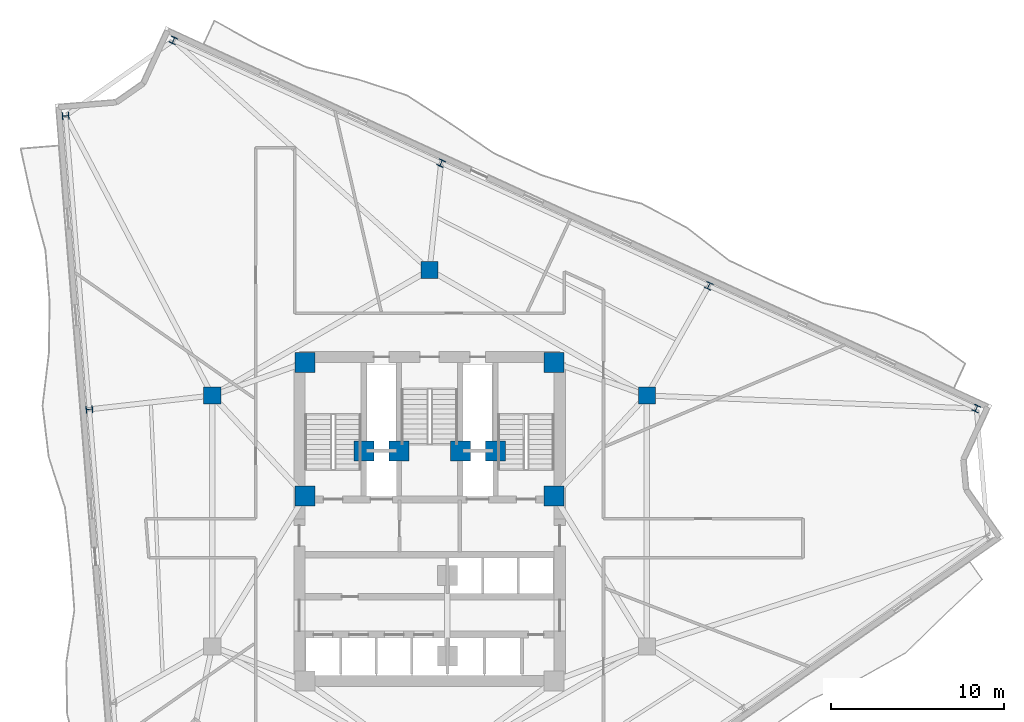
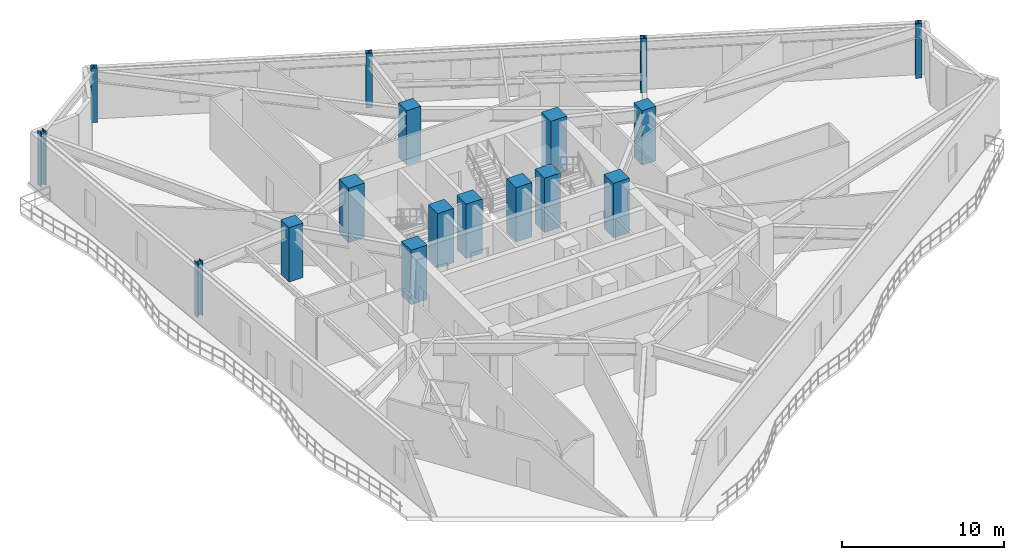
# One storey, part 2 of 11: 17 columns.
"""IFC4 building model written with IfcOpenShell, lengths in metres."""

import ifcopenshell
import ifcopenshell.guid

model = None  # the IFC model being written
_history = None  # IfcOwnerHistory: only IFC2X3 demands one
_inside = {}  # id of a spatial element -> (the spatial element, [elements in it])
_under = {}  # id of a project, library or spatial element -> (it, [spatial elements below it])
_declared = {}  # id of a project -> (the project, [libraries it declares])
_typed = {}  # id of a type object -> (the type object, [elements of that type])
_made_of = {}  # id of a material, layer set ... -> (it, [elements and type objects made of it])


def new_model(schema):
    """Start an empty IFC model of exactly this schema.

    Asked for "IFC4X3", IfcOpenShell would pick the latest addendum, in which some entities
    have other attributes; the version numbers below select the first issue.
    IFC2X3 requires an IfcOwnerHistory on every rooted entity: one is made here for all.
    """
    global model, _history
    if schema == "IFC4X3":
        model = ifcopenshell.file(schema_version=(4, 3, 0, 0))
    else:
        model = ifcopenshell.file(schema=schema)
    _inside.clear()
    _under.clear()
    _declared.clear()
    _typed.clear()
    _made_of.clear()
    _history = None
    if model.schema == "IFC2X3":
        org = make("IfcOrganization", Name="unknown")
        user = make(
            "IfcPersonAndOrganization",
            ThePerson=make("IfcPerson", FamilyName="unknown"),
            TheOrganization=org,
        )
        app = make(
            "IfcApplication",
            ApplicationDeveloper=org,
            Version="unknown",
            ApplicationFullName="unknown",
            ApplicationIdentifier="unknown",
        )
        _history = make(
            "IfcOwnerHistory",
            OwningUser=user,
            OwningApplication=app,
            ChangeAction="ADDED",
            CreationDate=0,
        )
    return model


def make(cls, **values):
    """One entity of the class cls with the attributes given. An attribute that is None is left unset."""
    return model.create_entity(
        cls, **{name: value for name, value in values.items() if value is not None}
    )


def rooted(cls, **values):
    """An entity with a GlobalId (a new one), such as an element, a storey or a relation."""
    return make(cls, GlobalId=ifcopenshell.guid.new(), OwnerHistory=_history, **values)


def si_unit(unit_type, name, prefix=None):
    """IfcSIUnit, for example si_unit("LENGTHUNIT", "METRE", prefix="MILLI")."""
    return make("IfcSIUnit", UnitType=unit_type, Prefix=prefix, Name=name)


def assignment(units):
    """IfcUnitAssignment: the units of a project."""
    return None if units is None else make("IfcUnitAssignment", Units=units)


def point(xyz):
    """IfcCartesianPoint."""
    return None if xyz is None else make("IfcCartesianPoint", Coordinates=xyz)


def direction(xyz):
    """IfcDirection."""
    return None if xyz is None else make("IfcDirection", DirectionRatios=xyz)


def frame(location, z_axis=None, x_axis=None):
    """IfcAxis2Placement3D, a coordinate frame: its origin and axes. An axis left out is left unset."""
    return make(
        "IfcAxis2Placement3D",
        Location=point(location),
        Axis=direction(z_axis),
        RefDirection=direction(x_axis),
    )


def frame_2d(location, x_axis=None):
    """IfcAxis2Placement2D, a coordinate frame in the plane: its origin and x axis."""
    return make(
        "IfcAxis2Placement2D", Location=point(location), RefDirection=direction(x_axis)
    )


def origin():
    """The frame at (0, 0, 0) with its axes left unset."""
    return frame((0.0, 0.0, 0.0))


def origin_2d():
    """The frame at (0, 0) in the plane with its x axis left unset."""
    return frame_2d((0.0, 0.0))


def place(relative_to, where):
    """IfcLocalPlacement: puts the frame where relative to a parent placement (None: the world)."""
    return make(
        "IfcLocalPlacement", PlacementRelTo=relative_to, RelativePlacement=where
    )


def context(
    kind, dimensions, precision=None, world=None, true_north=None, identifier=None
):
    """IfcGeometricRepresentationContext, for example the 3D "Model" context."""
    return make(
        "IfcGeometricRepresentationContext",
        ContextIdentifier=identifier,
        ContextType=kind,
        CoordinateSpaceDimension=dimensions,
        Precision=precision,
        WorldCoordinateSystem=world,
        TrueNorth=true_north,
    )


def subcontext(parent, identifier, kind, view, scale=None):
    """IfcGeometricRepresentationSubContext, for example "Body" below "Model"."""
    return make(
        "IfcGeometricRepresentationSubContext",
        ContextIdentifier=identifier,
        ContextType=kind,
        ParentContext=parent,
        TargetScale=scale,
        TargetView=view,
    )


def project(units=None, contexts=None):
    """IfcProject with its units and contexts."""
    return rooted(
        "IfcProject",
        Name="project",
        RepresentationContexts=contexts,
        UnitsInContext=assignment(units),
    )


def spatial(cls, under=None, at=None, **own):
    """A site, building, storey or space (cls), placed at a placement, below another one or the project."""
    s = rooted(cls, ObjectPlacement=at, **own)
    if under is not None:
        _under.setdefault(under.id(), (under, []))[1].append(s)
    return s


def profile(cls, at=None, kind="AREA", **sizes):
    """A parametric profile (cls). Its sizes go by their IFC names, for example OverallWidth=200.0."""
    return make(cls, ProfileType=kind, Position=at, **sizes)


def rectangle(**sizes):
    """IfcRectangleProfileDef."""
    return profile("IfcRectangleProfileDef", **sizes)


def i_section(**sizes):
    """IfcIShapeProfileDef."""
    return profile("IfcIShapeProfileDef", **sizes)


def extrude(swept, where, along, depth):
    """IfcExtrudedAreaSolid: the profile swept, set in the frame where, extruded along a direction by depth."""
    return make(
        "IfcExtrudedAreaSolid",
        SweptArea=swept,
        Position=where,
        ExtrudedDirection=direction(along),
        Depth=depth,
    )


def shape(context_of_items, identifier, shape_type, items):
    """IfcShapeRepresentation: the items that make up one representation, for example the "Body"."""
    return make(
        "IfcShapeRepresentation",
        ContextOfItems=context_of_items,
        RepresentationIdentifier=identifier,
        RepresentationType=shape_type,
        Items=items,
    )


def material(Name=None, Category=None):
    """IfcMaterial."""
    return make("IfcMaterial", Name=Name, Category=Category)


def material_profile(
    of_material, cross_section, Name=None, Category=None, Priority=None
):
    """IfcMaterialProfile: a cross section and its material."""
    return make(
        "IfcMaterialProfile",
        Name=Name,
        Material=of_material,
        Profile=cross_section,
        Priority=Priority,
        Category=Category,
    )


def profile_set(profiles, Name=None, composite=None):
    """IfcMaterialProfileSet."""
    return make(
        "IfcMaterialProfileSet",
        Name=Name,
        MaterialProfiles=profiles,
        CompositeProfile=composite,
    )


def made_of(thing, what):
    """Note that an element or type object is made of a material, layer set ...; save() writes the relation."""
    if what is not None:
        _made_of.setdefault(what.id(), (what, []))[1].append(thing)
    return thing


def type_object(cls, material=None, **own):
    """A type object (cls), such as IfcWallType, which elements share."""
    return made_of(rooted(cls, **own), material)


def element(
    cls,
    number,
    at=None,
    inside=None,
    cuts=None,
    type_object=None,
    material=None,
    context=None,
    identifier="Body",
    shape_type=None,
    held_by="IfcProductDefinitionShape",
    body=None,
    shapes=None,
    **own,
):
    """One element of the class cls, such as IfcWall. Its Tag is "e" and its number.

    at: its placement. inside: the storey or other place that contains it. cuts: it is an
    opening in that element (IfcRelVoidsElement). A single representation is given by context,
    identifier, shape_type and body (its items); several are given by shapes. held_by: the class
    of the entity that holds the representations. save() writes the other relations.
    """
    e = rooted(cls, Tag="e%d" % number, ObjectPlacement=at, **own)
    if body is not None:
        shapes = [shape(context, identifier, shape_type, body)]
    if shapes is not None:
        e.Representation = make(held_by, Representations=shapes)
    if inside is not None:
        _inside.setdefault(inside.id(), (inside, []))[1].append(e)
    if cuts is not None:
        rooted(
            "IfcRelVoidsElement", RelatingBuildingElement=cuts, RelatedOpeningElement=e
        )
    if type_object is not None:
        _typed.setdefault(type_object.id(), (type_object, []))[1].append(e)
    return made_of(e, material)


def aggregate(whole, parts):
    """IfcRelAggregates: a whole, such as a stair, and the parts it consists of."""
    return rooted("IfcRelAggregates", RelatingObject=whole, RelatedObjects=parts)


def save(model, path):
    """Write the relations noted so far, then the file.

    IfcRelAggregates (storeys below a building ...), IfcRelContainedInSpatialStructure (elements
    in a storey), IfcRelDefinesByType, IfcRelAssociatesMaterial and IfcRelDeclares: one each for
    every whole, place, type object, material and project.
    """
    for whole, parts in _under.values():
        aggregate(whole, parts)
    for where, things in _inside.values():
        rooted(
            "IfcRelContainedInSpatialStructure",
            RelatedElements=things,
            RelatingStructure=where,
        )
    for kind, things in _typed.values():
        rooted("IfcRelDefinesByType", RelatedObjects=things, RelatingType=kind)
    for what, things in _made_of.values():
        rooted("IfcRelAssociatesMaterial", RelatedObjects=things, RelatingMaterial=what)
    for by, libraries in _declared.values():
        rooted("IfcRelDeclares", RelatingContext=by, RelatedDefinitions=libraries)
    model.write(path)


model = new_model("IFC4")

# Units and contexts
model_context = context("Model", 3, precision=1e-05, world=origin(), true_north=direction((0.0, 1.0)))
body_context = subcontext(model_context, "Body", "Model", "MODEL_VIEW")
ifc_project = project(units=[si_unit("LENGTHUNIT", "METRE"), si_unit("AREAUNIT", "SQUARE_METRE"), si_unit("VOLUMEUNIT", "CUBIC_METRE"), si_unit("PLANEANGLEUNIT", "RADIAN"), si_unit("MASSUNIT", "GRAM", prefix="KILO")], contexts=[model_context])

# Site, building, storey
site_placement = place(None, origin())
site = spatial("IfcSite", under=ifc_project, at=site_placement, CompositionType="ELEMENT")
building_placement = place(site_placement, origin())
building = spatial("IfcBuilding", under=site, at=building_placement, Name="Apsidion Concourse Tower", CompositionType="ELEMENT")
storey_placement = place(building_placement, frame((0.0, 0.0, 214.699951171875)))
storey = spatial("IfcBuildingStorey", under=building, at=storey_placement, Name="L50", CompositionType="ELEMENT", Elevation=214.699951171875)

# Columns
ifc_material_1 = material(Name="Concrete C50/60", Category="concrete")
ifc_material_profile_1 = material_profile(ifc_material_1, rectangle(XDim=1.0, YDim=1.0, at=origin_2d()), Name="RC 1000x1000")
ifc_profile_set_1 = profile_set([ifc_material_profile_1], Name="Concrete C50/60")
column_type_1 = type_object("IfcColumnType", Name="COL-RC-1000", PredefinedType="COLUMN", material=ifc_profile_set_1)
for number, where, z_axis, x_axis, name in (
    (1, (12.56005859375, 7.25, 0.0), (0.0, 0.0, 1.0), (1.0, 0.0, 0.0), "L50 Interior Spine Column IC3"),
    (2, (0.0, 14.5, 0.0), (0.0, 0.0, 1.0), (1.0, 0.0, 0.0), "L50 Interior Spine Column IC4"),
    (3, (-12.56005859375, 7.25, 0.0), (0.0, 0.0, 1.0), (1.0, 0.0, 0.0), "L50 Interior Spine Column IC5"),
):
    element("IfcColumn", number, at=place(storey_placement, frame(where, z_axis=z_axis, x_axis=x_axis)), inside=storey, type_object=column_type_1, Name=name, PredefinedType="COLUMN", context=body_context, shape_type="SweptSolid", body=[
        extrude(rectangle(XDim=1.0, YDim=1.0, at=origin_2d()), origin(), (0.0, 0.0, 1.0), 4.10009765625),
    ])
ifc_material_profile_2 = material_profile(ifc_material_1, rectangle(XDim=1.14990234375, YDim=1.14990234375, at=origin_2d()), Name="RC 1150x1150")
ifc_profile_set_2 = profile_set([ifc_material_profile_2], Name="Concrete C50/60")
column_type_2 = type_object("IfcColumnType", Name="COL-RC-1150", PredefinedType="COLUMN", material=ifc_profile_set_2)
for number, where, z_axis, x_axis, name in (
    (4, (7.199951171875, 1.449951171875, 0.0), (0.0, 0.0, 1.0), (1.0, 0.0, 0.0), "L50 Core Super-Column SC3"),
    (5, (7.199951171875, 9.14990234375, 0.0), (0.0, 0.0, 1.0), (1.0, 0.0, 0.0), "L50 Core Super-Column SC4"),
    (6, (-7.199951171875, 9.14990234375, 0.0), (0.0, 0.0, 1.0), (1.0, 0.0, 0.0), "L50 Core Super-Column SC5"),
    (7, (-7.199951171875, 1.449951171875, 0.0), (0.0, 0.0, 1.0), (1.0, 0.0, 0.0), "L50 Core Super-Column SC6"),
    (8, (-3.800048828125, 4.050048828125, 0.0), (0.0, 0.0, 1.0), (1.0, 0.0, 0.0), "L50 Core Super-Column CC1"),
    (9, (3.800048828125, 4.050048828125, 0.0), (0.0, 0.0, 1.0), (1.0, 0.0, 0.0), "L50 Core Super-Column CC2"),
    (10, (-1.77490234375, 4.050048828125, 0.0), (0.0, 0.0, 1.0), (1.0, 0.0, 0.0), "L50 Core Super-Column CC3"),
    (11, (1.77490234375, 4.050048828125, 0.0), (0.0, 0.0, 1.0), (1.0, 0.0, 0.0), "L50 Core Super-Column CC4"),
):
    element("IfcColumn", number, at=place(storey_placement, frame(where, z_axis=z_axis, x_axis=x_axis)), inside=storey, type_object=column_type_2, Name=name, PredefinedType="COLUMN", context=body_context, shape_type="SweptSolid", body=[
        extrude(rectangle(XDim=1.14990234375, YDim=1.14990234375, at=origin_2d()), origin(), (0.0, 0.0, 1.0), 4.10009765625),
    ])
ifc_material_2 = material(Name="Structural steel ASTM A992 Grade 50", Category="steel")
ifc_material_profile_3 = material_profile(ifc_material_2, i_section(OverallWidth=0.39892578125, OverallDepth=0.385986328125, WebThickness=0.02099609375, FlangeThickness=0.033203125, at=origin_2d()), Name="W14X176")
ifc_profile_set_3 = profile_set([ifc_material_profile_3], Name="Structural steel ASTM A992 Grade 50")
column_type_3 = type_object("IfcColumnType", Name="COL-W14-176", PredefinedType="COLUMN", material=ifc_profile_set_3)
for number, where, z_axis, x_axis, name in (
    (12, (-21.03759765625, 23.412841796875, 0.0), (0.0, 0.0, 1.0), (-0.080720825512, 0.996736749763, 0.0), "L50 Rotated Perimeter Column PC01"),
    (13, (-19.66357421875, 6.451171875, 0.0), (0.0, 0.0, 1.0), (-0.080720825512, 0.996736749763, 0.0), "L50 Rotated Perimeter Column PC02"),
    (14, (31.600830078125, 6.499267578125, 0.0), (0.0, 0.0, 1.0), (-0.909018020308, 0.416756810089, 0.0), "L50 Rotated Perimeter Column PC09"),
    (15, (16.132080078125, 13.591796875, 0.0), (0.0, 0.0, 1.0), (-0.909018020308, 0.416756810089, 0.0), "L50 Rotated Perimeter Column PC10"),
    (16, (0.663330078125, 20.68408203125, 0.0), (0.0, 0.0, 1.0), (-0.909018020308, 0.416756810089, 0.0), "L50 Rotated Perimeter Column PC11"),
    (17, (-14.805419921875, 27.776611328125, 0.0), (0.0, 0.0, 1.0), (-0.909018020308, 0.416756810089, 0.0), "L50 Rotated Perimeter Column PC12"),
):
    element("IfcColumn", number, at=place(storey_placement, frame(where, z_axis=z_axis, x_axis=x_axis)), inside=storey, type_object=column_type_3, Name=name, PredefinedType="COLUMN", context=body_context, shape_type="SweptSolid", body=[
        extrude(i_section(OverallWidth=0.39892578125, OverallDepth=0.385986328125, WebThickness=0.02099609375, FlangeThickness=0.033203125, at=origin_2d()), origin(), (0.0, 0.0, 1.0), 4.10009765625),
    ])

save(model, "model.ifc")
